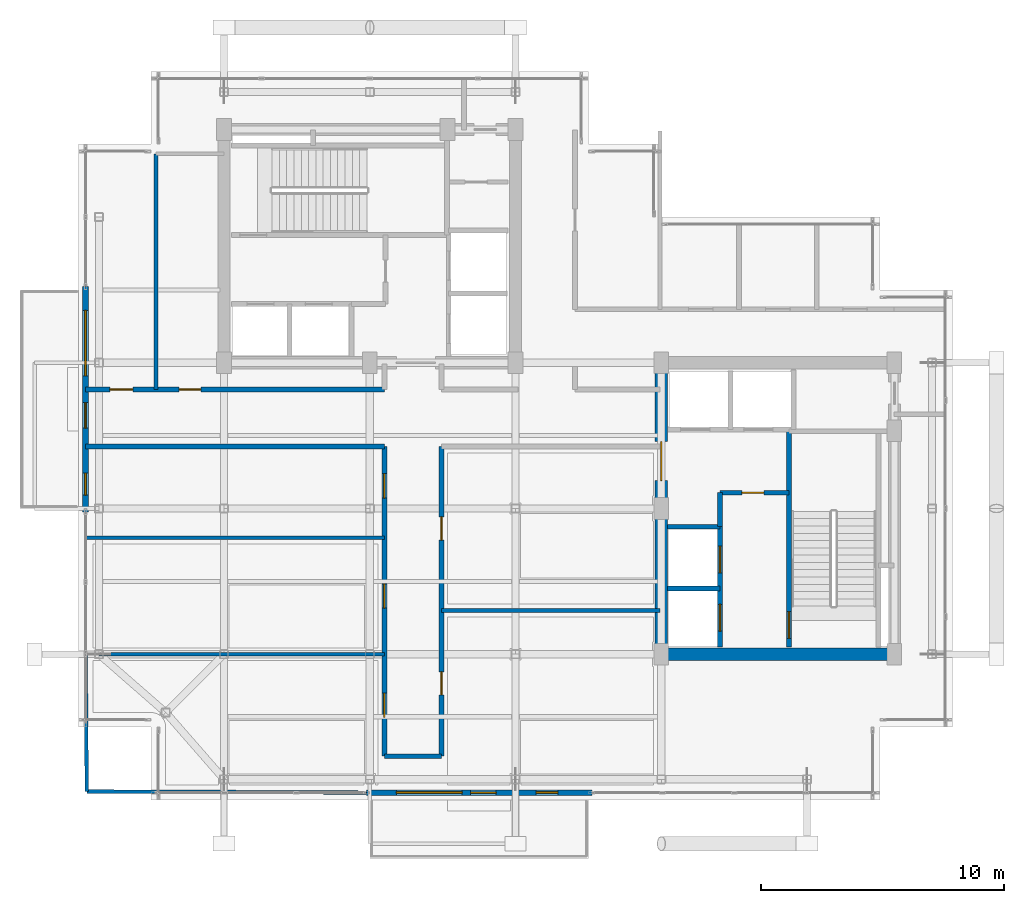
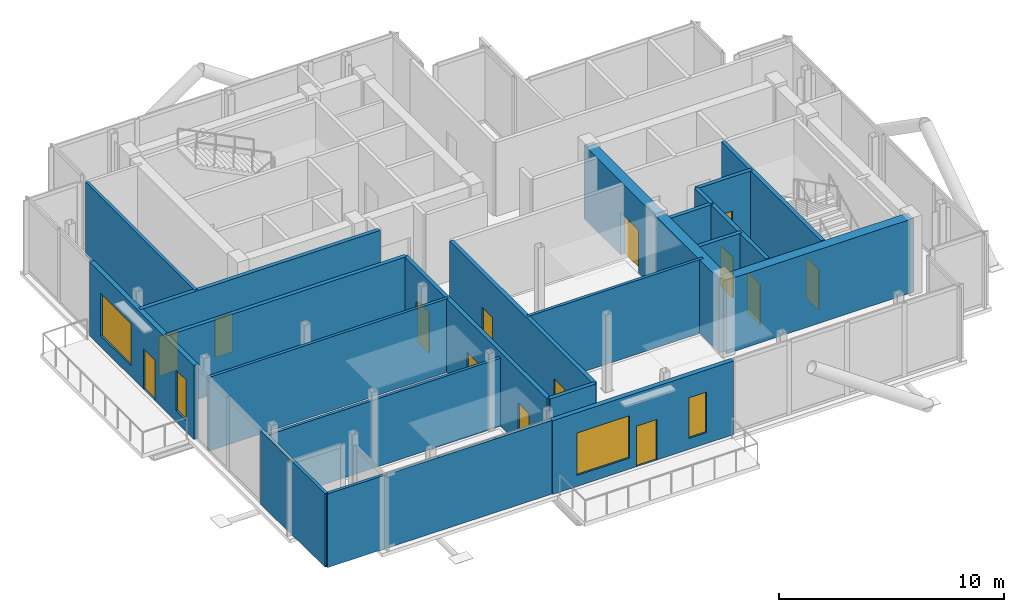
# One storey, part 12 of 16: 21 walls, 14 doors, 4 windows, 18 openings.
"""IFC4 building model written with IfcOpenShell, lengths in metres."""

from ifc_helpers import new_model, si_unit, direction, frame, frame_2d, origin, place, context, subcontext, project, spatial, rectangle, extrude, material, layer, layer_set, type_object, element, fill, save


model = new_model("IFC4")

# Units and contexts
model_context = context("Model", 3, precision=1e-05, world=origin(), true_north=direction((0.0, 1.0)))
body_context = subcontext(model_context, "Body", "Model", "MODEL_VIEW")
ifc_project = project(units=[si_unit("LENGTHUNIT", "METRE"), si_unit("AREAUNIT", "SQUARE_METRE"), si_unit("VOLUMEUNIT", "CUBIC_METRE"), si_unit("PLANEANGLEUNIT", "RADIAN"), si_unit("MASSUNIT", "GRAM", prefix="KILO"), si_unit("THERMODYNAMICTEMPERATUREUNIT", "KELVIN"), si_unit("POWERUNIT", "WATT")], contexts=[model_context])

# Site, building, storey
site_placement = place(None, origin())
site = spatial("IfcSite", under=ifc_project, at=site_placement, CompositionType="ELEMENT")
building_placement = place(site_placement, origin())
building = spatial("IfcBuilding", under=site, at=building_placement, Name="Svarakhadi Broadcast Tower", CompositionType="ELEMENT")
storey_placement = place(building_placement, frame((0.0, 0.0, 292.199951171875)))
storey = spatial("IfcBuildingStorey", under=building, at=storey_placement, Name="L74", CompositionType="ELEMENT", Elevation=292.199951171875)

# Wall, openings, doors
ifc_material_1 = material(Name="Double-Stud Acoustic Studio Partition STC-62", Category="gypsum")
ifc_layer_1 = layer(ifc_material_1, 0.199951171875)
ifc_layer_set_1 = layer_set([ifc_layer_1], Name="Double-Stud Acoustic Studio Partition STC-62")
wall_type_1 = type_object("IfcWallType", Name="Wall_Acoust_200", PredefinedType="PARTITIONING", material=ifc_layer_set_1)
wall_1_placement = place(storey_placement, frame((12.60009765625, 1.800048828125, 0.0), z_axis=(0.0, 0.0, 1.0), x_axis=(0.0, 1.0, 0.0)))
wall_1 = element("IfcWall", 1, at=wall_1_placement, inside=storey, type_object=wall_type_1, Name="L74 Upper Tower Concourse Wall", PredefinedType="PARTITIONING", context=body_context, shape_type="SweptSolid", body=[
    extrude(rectangle(XDim=12.75, YDim=0.199951171875, at=frame_2d((6.375, 0.0))), origin(), (0.0, 0.0, 1.0), 4.0),
])
opening_1_placement = place(wall_1_placement, frame((1.60009765625, 0.0, 0.0)))
opening_1 = element("IfcOpeningElement", 2, at=opening_1_placement, cuts=wall_1, Name="Opening D-09", PredefinedType="OPENING", context=body_context, shape_type="SweptSolid", body=[
    extrude(rectangle(XDim=1.0, YDim=2.199951171875, at=frame_2d((0.5, 1.10009765625))), frame((0.0, 0.10986328125, 0.0), z_axis=(0.0, -1.0, 0.0), x_axis=(1.0, 0.0, 0.0)), (0.0, 0.0, 1.0), 0.219970703125),
])
opening_2_placement = place(wall_1_placement, frame((6.10009765625, 0.0, 0.0)))
opening_2 = element("IfcOpeningElement", 3, at=opening_2_placement, cuts=wall_1, Name="Opening D-08", PredefinedType="OPENING", context=body_context, shape_type="SweptSolid", body=[
    extrude(rectangle(XDim=1.0, YDim=2.199951171875, at=frame_2d((0.5, 1.10009765625))), frame((0.0, 0.10986328125, 0.0), z_axis=(0.0, -1.0, 0.0), x_axis=(1.0, 0.0, 0.0)), (0.0, 0.0, 1.0), 0.219970703125),
])
opening_3_placement = place(wall_1_placement, frame((10.6298828125, 0.0, 0.0)))
opening_3 = element("IfcOpeningElement", 4, at=opening_3_placement, cuts=wall_1, Name="Opening D-09", PredefinedType="OPENING", context=body_context, shape_type="SweptSolid", body=[
    extrude(rectangle(XDim=1.0, YDim=2.199951171875, at=frame_2d((0.5, 1.10009765625))), frame((0.0, 0.10986328125, 0.0), z_axis=(0.0, -1.0, 0.0), x_axis=(1.0, 0.0, 0.0)), (0.0, 0.0, 1.0), 0.219970703125),
])
ifc_material_2 = material(Name="Solid-Core Teak Veneer Acoustic Timber Leaf", Category="wood")
door_type_1 = type_object("IfcDoorType", Name="Door_Suite_D08", OperationType="SINGLE_SWING_LEFT", PredefinedType="DOOR", material=ifc_material_2)
door_1_placement = place(opening_2_placement, origin())
door_1 = element("IfcDoor", 5, at=door_1_placement, inside=storey, type_object=door_type_1, Name="L74 Executive Pre-Function Lounge Door", OperationType="SINGLE_SWING_LEFT", OverallHeight=2.199951171875, OverallWidth=1.0, PredefinedType="DOOR", context=body_context, shape_type="SweptSolid", body=[
    extrude(rectangle(XDim=1.0, YDim=2.199951171875, at=frame_2d((0.5, 1.10009765625))), frame((0.0, 0.02490234375, 0.0), z_axis=(0.0, -1.0, 0.0), x_axis=(1.0, 0.0, 0.0)), (0.0, 0.0, 1.0), 0.050048828125),
])
fill(opening_2, door_1)
door_type_2 = type_object("IfcDoorType", Name="Door_Suite_D09", OperationType="SINGLE_SWING_RIGHT", PredefinedType="DOOR", material=ifc_material_2)
door_2_placement = place(opening_1_placement, origin())
door_2 = element("IfcDoor", 6, at=door_2_placement, inside=storey, type_object=door_type_2, Name="L74 Chairman Broadcast Boardroom Door", OperationType="SINGLE_SWING_RIGHT", OverallHeight=2.199951171875, OverallWidth=1.0, PredefinedType="DOOR", context=body_context, shape_type="SweptSolid", body=[
    extrude(rectangle(XDim=1.0, YDim=2.199951171875, at=frame_2d((0.5, 1.10009765625))), frame((0.0, 0.02490234375, 0.0), z_axis=(0.0, -1.0, 0.0), x_axis=(1.0, 0.0, 0.0)), (0.0, 0.0, 1.0), 0.050048828125),
])
fill(opening_1, door_2)
door_3_placement = place(opening_3_placement, origin())
door_3 = element("IfcDoor", 7, at=door_3_placement, inside=storey, type_object=door_type_2, Name="L74 Boardroom Secretarial Office Door", OperationType="SINGLE_SWING_RIGHT", OverallHeight=2.199951171875, OverallWidth=1.0, PredefinedType="DOOR", context=body_context, shape_type="SweptSolid", body=[
    extrude(rectangle(XDim=1.0, YDim=2.199951171875, at=frame_2d((0.5, 1.10009765625))), frame((0.0, 0.02490234375, 0.0), z_axis=(0.0, -1.0, 0.0), x_axis=(1.0, 0.0, 0.0)), (0.0, 0.0, 1.0), 0.050048828125),
])
fill(opening_3, door_3)

# Wall
wall_2_placement = place(storey_placement, frame((12.60009765625, 14.550048828125, 0.0), z_axis=(0.0, 0.0, 1.0), x_axis=(-1.0, 0.0, 0.0)))
element("IfcWall", 8, at=wall_2_placement, inside=storey, type_object=wall_type_1, Name="L74 Upper Tower Concourse Wall", PredefinedType="PARTITIONING", context=body_context, shape_type="SweptSolid", body=[
    extrude(rectangle(XDim=12.300048828125, YDim=0.199951171875, at=frame_2d((6.14990234375, 0.0))), origin(), (0.0, 0.0, 1.0), 4.0),
])

# Wall, openings, doors
wall_3_placement = place(storey_placement, frame((0.300048828125, 16.89990234375, 0.0), z_axis=(0.0, 0.0, 1.0), x_axis=(1.0, 0.0, 0.0)))
wall_3 = element("IfcWall", 9, at=wall_3_placement, inside=storey, type_object=wall_type_1, Name="L74 Upper Tower Concourse Wall", PredefinedType="PARTITIONING", context=body_context, shape_type="SweptSolid", body=[
    extrude(rectangle(XDim=12.300048828125, YDim=0.199951171875, at=frame_2d((6.14990234375, 0.0))), origin(), (0.0, 0.0, 1.0), 4.0),
])
opening_4_placement = place(wall_3_placement, frame((1.0, 0.0, 0.0)))
opening_4 = element("IfcOpeningElement", 10, at=opening_4_placement, cuts=wall_3, Name="Opening D-07", PredefinedType="OPENING", context=body_context, shape_type="SweptSolid", body=[
    extrude(rectangle(XDim=0.949951171875, YDim=2.14990234375, at=frame_2d((0.47509765625, 1.074951171875))), frame((0.0, 0.10986328125, 0.0), z_axis=(0.0, -1.0, 0.0), x_axis=(1.0, 0.0, 0.0)), (0.0, 0.0, 1.0), 0.219970703125),
])
opening_5_placement = place(wall_3_placement, frame((3.85009765625, 0.0, 0.0)))
opening_5 = element("IfcOpeningElement", 11, at=opening_5_placement, cuts=wall_3, Name="Opening D-12", PredefinedType="OPENING", context=body_context, shape_type="SweptSolid", body=[
    extrude(rectangle(XDim=0.89990234375, YDim=2.10009765625, at=frame_2d((0.449951171875, 1.050048828125))), frame((0.0, 0.10986328125, 0.0), z_axis=(0.0, -1.0, 0.0), x_axis=(1.0, 0.0, 0.0)), (0.0, 0.0, 1.0), 0.219970703125),
])
door_type_3 = type_object("IfcDoorType", Name="Door_Office_D07", OperationType="SINGLE_SWING_RIGHT", PredefinedType="DOOR", material=ifc_material_2)
door_4_placement = place(opening_4_placement, origin())
door_4 = element("IfcDoor", 12, at=door_4_placement, inside=storey, type_object=door_type_3, Name="L74 International Delegate Briefing Room Door", OperationType="SINGLE_SWING_RIGHT", OverallHeight=2.14990234375, OverallWidth=0.949951171875, PredefinedType="DOOR", context=body_context, shape_type="SweptSolid", body=[
    extrude(rectangle(XDim=0.949951171875, YDim=2.14990234375, at=frame_2d((0.47509765625, 1.074951171875))), frame((0.0, 0.02490234375, 0.0), z_axis=(0.0, -1.0, 0.0), x_axis=(1.0, 0.0, 0.0)), (0.0, 0.0, 1.0), 0.050048828125),
])
fill(opening_4, door_4)
door_type_4 = type_object("IfcDoorType", Name="Door_WC_D01", OperationType="SINGLE_SWING_LEFT", PredefinedType="DOOR", material=ifc_material_2)
door_5_placement = place(opening_5_placement, origin())
door_5 = element("IfcDoor", 13, at=door_5_placement, inside=storey, type_object=door_type_4, Name="L74 Accessible Crown Washroom WC Door", OperationType="SINGLE_SWING_LEFT", OverallHeight=2.10009765625, OverallWidth=0.89990234375, PredefinedType="DOOR", context=body_context, shape_type="SweptSolid", body=[
    extrude(rectangle(XDim=0.89990234375, YDim=2.10009765625, at=frame_2d((0.449951171875, 1.050048828125))), frame((0.0, 0.02490234375, 0.0), z_axis=(0.0, -1.0, 0.0), x_axis=(1.0, 0.0, 0.0)), (0.0, 0.0, 1.0), 0.050048828125),
])
fill(opening_5, door_5)

wall_4_placement = place(storey_placement, frame((14.949951171875, 14.550048828125, 0.0), z_axis=(0.0, 0.0, 1.0), x_axis=(0.0, -1.0, 0.0)))
wall_4 = element("IfcWall", 14, at=wall_4_placement, inside=storey, type_object=wall_type_1, Name="L74 Upper Tower Concourse Wall", PredefinedType="PARTITIONING", context=body_context, shape_type="SweptSolid", body=[
    extrude(rectangle(XDim=12.75, YDim=0.199951171875, at=frame_2d((6.375, 0.0))), origin(), (0.0, 0.0, 1.0), 4.0),
])
opening_6_placement = place(wall_4_placement, frame((9.27490234375, 0.0, 0.0)))
opening_6 = element("IfcOpeningElement", 15, at=opening_6_placement, cuts=wall_4, Name="Opening D-06", PredefinedType="OPENING", context=body_context, shape_type="SweptSolid", body=[
    extrude(rectangle(XDim=0.949951171875, YDim=2.14990234375, at=frame_2d((0.47509765625, 1.074951171875))), frame((0.0, 0.10986328125, 0.0), z_axis=(0.0, -1.0, 0.0), x_axis=(1.0, 0.0, 0.0)), (0.0, 0.0, 1.0), 0.219970703125),
])
opening_7_placement = place(wall_4_placement, frame((2.89990234375, 0.0, 0.0)))
opening_7 = element("IfcOpeningElement", 16, at=opening_7_placement, cuts=wall_4, Name="Opening D-07", PredefinedType="OPENING", context=body_context, shape_type="SweptSolid", body=[
    extrude(rectangle(XDim=0.949951171875, YDim=2.14990234375, at=frame_2d((0.47509765625, 1.074951171875))), frame((0.0, 0.10986328125, 0.0), z_axis=(0.0, -1.0, 0.0), x_axis=(1.0, 0.0, 0.0)), (0.0, 0.0, 1.0), 0.219970703125),
])
door_type_5 = type_object("IfcDoorType", Name="Door_Office_D06", OperationType="SINGLE_SWING_LEFT", PredefinedType="DOOR", material=ifc_material_2)
door_6_placement = place(opening_6_placement, origin())
door_6 = element("IfcDoor", 17, at=door_6_placement, inside=storey, type_object=door_type_5, Name="L74 Executive Banquet Dining Salon Door", OperationType="SINGLE_SWING_LEFT", OverallHeight=2.14990234375, OverallWidth=0.949951171875, PredefinedType="DOOR", context=body_context, shape_type="SweptSolid", body=[
    extrude(rectangle(XDim=0.949951171875, YDim=2.14990234375, at=frame_2d((0.47509765625, 1.074951171875))), frame((0.0, 0.02490234375, 0.0), z_axis=(0.0, -1.0, 0.0), x_axis=(1.0, 0.0, 0.0)), (0.0, 0.0, 1.0), 0.050048828125),
])
fill(opening_6, door_6)
door_7_placement = place(opening_7_placement, origin())
door_7 = element("IfcDoor", 18, at=door_7_placement, inside=storey, type_object=door_type_3, Name="L74 Executive Finishing Kitchen Door", OperationType="SINGLE_SWING_RIGHT", OverallHeight=2.14990234375, OverallWidth=0.949951171875, PredefinedType="DOOR", context=body_context, shape_type="SweptSolid", body=[
    extrude(rectangle(XDim=0.949951171875, YDim=2.14990234375, at=frame_2d((0.47509765625, 1.074951171875))), frame((0.0, 0.02490234375, 0.0), z_axis=(0.0, -1.0, 0.0), x_axis=(1.0, 0.0, 0.0)), (0.0, 0.0, 1.0), 0.050048828125),
])
fill(opening_7, door_7)

# Wall
wall_5_placement = place(storey_placement, frame((14.949951171875, 1.800048828125, 0.0), z_axis=(0.0, 0.0, 1.0), x_axis=(-1.0, 0.0, 0.0)))
element("IfcWall", 19, at=wall_5_placement, inside=storey, type_object=wall_type_1, Name="L74 Upper Tower Concourse Wall", PredefinedType="PARTITIONING", context=body_context, shape_type="SweptSolid", body=[
    extrude(rectangle(XDim=2.349853515625, YDim=0.199951171875, at=frame_2d((1.1748046875, 0.0))), origin(), (0.0, 0.0, 1.0), 4.0),
])

# Wall, openings, door, windows
ifc_material_3 = material(Name="Concrete C40/50 (IS 456 M50)", Category="concrete")
ifc_layer_2 = layer(ifc_material_3, 0.239990234375)
ifc_layer_set_2 = layer_set([ifc_layer_2], Name="Concrete C40/50 (IS 456 M50)")
wall_type_2 = type_object("IfcWallType", Name="Wall_Ext_240", PredefinedType="SOLIDWALL", material=ifc_layer_set_2)
wall_6_placement = place(storey_placement, frame((21.14501953125, 0.300048828125, 0.0), z_axis=(0.0, 0.0, 1.0), x_axis=(-1.0, 0.0, 0.0)))
wall_6 = element("IfcWall", 20, at=wall_6_placement, inside=storey, type_object=wall_type_2, Name="L74 South Tree Balcony Spandrel Wall", PredefinedType="SOLIDWALL", context=body_context, shape_type="SweptSolid", body=[
    extrude(rectangle(XDim=9.2900390625, YDim=0.239990234375, at=frame_2d((4.64501953125, 0.0))), origin(), (0.0, 0.0, 1.0), 4.0),
])
opening_8_placement = place(wall_6_placement, frame((3.945068359375, 0.0, 0.0)))
opening_8 = element("IfcOpeningElement", 21, at=opening_8_placement, cuts=wall_6, Name="Opening ED-06", PredefinedType="OPENING", context=body_context, shape_type="SweptSolid", body=[
    extrude(rectangle(XDim=1.050048828125, YDim=2.199951171875, at=frame_2d((0.52490234375, 1.10009765625))), frame((0.0, 0.1298828125, 0.0), z_axis=(0.0, -1.0, 0.0), x_axis=(1.0, 0.0, 0.0)), (0.0, 0.0, 1.0), 0.260009765625),
])
opening_9_placement = place(wall_6_placement, frame((5.344970703125, 0.0, 0.60009765625)))
opening_9 = element("IfcOpeningElement", 22, at=opening_9_placement, cuts=wall_6, Name="Opening WN-07", PredefinedType="OPENING", context=body_context, shape_type="SweptSolid", body=[
    extrude(rectangle(XDim=2.699951171875, YDim=2.300048828125, at=frame_2d((1.35009765625, 1.14990234375))), frame((0.0, 0.1298828125, 0.0), z_axis=(0.0, -1.0, 0.0), x_axis=(1.0, 0.0, 0.0)), (0.0, 0.0, 1.0), 0.260009765625),
])
opening_10_placement = place(wall_6_placement, frame((1.39990234375, 0.0, 0.60009765625)))
opening_10 = element("IfcOpeningElement", 23, at=opening_10_placement, cuts=wall_6, Name="Opening WN-04", PredefinedType="OPENING", context=body_context, shape_type="SweptSolid", body=[
    extrude(rectangle(XDim=0.89990234375, YDim=2.199951171875, at=frame_2d((0.449951171875, 1.10009765625))), frame((0.0, 0.1298828125, 0.0), z_axis=(0.0, -1.0, 0.0), x_axis=(1.0, 0.0, 0.0)), (0.0, 0.0, 1.0), 0.260009765625),
])
ifc_material_4 = material(Name="Anodised Bronze Aluminium AA 6063-T6", Category="aluminium")
door_type_6 = type_object("IfcDoorType", Name="Door_Ext_ED06", OperationType="SINGLE_SWING_RIGHT", PredefinedType="DOOR", material=ifc_material_4)
door_8_placement = place(opening_8_placement, origin())
door_8 = element("IfcDoor", 24, at=door_8_placement, inside=storey, type_object=door_type_6, Name="L74 South Tree Balcony Door", OperationType="SINGLE_SWING_RIGHT", OverallHeight=2.199951171875, OverallWidth=1.050048828125, PredefinedType="DOOR", context=body_context, shape_type="SweptSolid", body=[
    extrude(rectangle(XDim=1.050048828125, YDim=2.199951171875, at=frame_2d((0.52490234375, 1.10009765625))), frame((0.0, 0.02490234375, 0.0), z_axis=(0.0, -1.0, 0.0), x_axis=(1.0, 0.0, 0.0)), (0.0, 0.0, 1.0), 0.050048828125),
])
fill(opening_8, door_8)
ifc_material_5 = material(Name="Double Low-E Laminated Acoustic Glass IGU 36 mm", Category="glass")
window_type_1 = type_object("IfcWindowType", Name="Win_Resi_WN07", PartitioningType="SINGLE_PANEL", PredefinedType="WINDOW", material=ifc_material_5)
window_1_placement = place(opening_9_placement, origin())
window_1 = element("IfcWindow", 25, at=window_1_placement, inside=storey, type_object=window_type_1, Name="L74 South Tree Balcony Window", OverallHeight=2.300048828125, OverallWidth=2.699951171875, PartitioningType="SINGLE_PANEL", PredefinedType="WINDOW", context=body_context, shape_type="SweptSolid", body=[
    extrude(rectangle(XDim=2.699951171875, YDim=2.300048828125, at=frame_2d((1.35009765625, 1.14990234375))), frame((0.0, 0.030029296875, 0.0), z_axis=(0.0, -1.0, 0.0), x_axis=(1.0, 0.0, 0.0)), (0.0, 0.0, 1.0), 0.06005859375),
])
fill(opening_9, window_1)
window_type_2 = type_object("IfcWindowType", Name="Win_Slot_WN04", PartitioningType="SINGLE_PANEL", PredefinedType="WINDOW", material=ifc_material_5)
window_2_placement = place(opening_10_placement, origin())
window_2 = element("IfcWindow", 26, at=window_2_placement, inside=storey, type_object=window_type_2, Name="L74 South Primary Bedroom Slot Window", OverallHeight=2.199951171875, OverallWidth=0.89990234375, PartitioningType="SINGLE_PANEL", PredefinedType="WINDOW", context=body_context, shape_type="SweptSolid", body=[
    extrude(rectangle(XDim=0.89990234375, YDim=2.199951171875, at=frame_2d((0.449951171875, 1.10009765625))), frame((0.0, 0.030029296875, 0.0), z_axis=(0.0, -1.0, 0.0), x_axis=(1.0, 0.0, 0.0)), (0.0, 0.0, 1.0), 0.06005859375),
])
fill(opening_10, window_2)

wall_7_placement = place(storey_placement, frame((0.300048828125, 11.85498046875, 0.0), z_axis=(0.0, 0.0, 1.0), x_axis=(0.0, 1.0, 0.0)))
wall_7 = element("IfcWall", 27, at=wall_7_placement, inside=storey, type_object=wall_type_2, Name="L74 West Tree Balcony Spandrel Wall", PredefinedType="SOLIDWALL", context=body_context, shape_type="SweptSolid", body=[
    extrude(rectangle(XDim=9.2900390625, YDim=0.239990234375, at=frame_2d((4.64501953125, 0.0))), origin(), (0.0, 0.0, 1.0), 4.0),
])
opening_11_placement = place(wall_7_placement, frame((3.449951171875, 0.0, 0.0)))
opening_11 = element("IfcOpeningElement", 28, at=opening_11_placement, cuts=wall_7, Name="Opening ED-05", PredefinedType="OPENING", context=body_context, shape_type="SweptSolid", body=[
    extrude(rectangle(XDim=1.050048828125, YDim=2.199951171875, at=frame_2d((0.52490234375, 1.10009765625))), frame((0.0, 0.1298828125, 0.0), z_axis=(0.0, -1.0, 0.0), x_axis=(1.0, 0.0, 0.0)), (0.0, 0.0, 1.0), 0.260009765625),
])
opening_12_placement = place(wall_7_placement, frame((5.60009765625, 0.0, 0.60009765625)))
opening_12 = element("IfcOpeningElement", 29, at=opening_12_placement, cuts=wall_7, Name="Opening WN-07", PredefinedType="OPENING", context=body_context, shape_type="SweptSolid", body=[
    extrude(rectangle(XDim=2.699951171875, YDim=2.300048828125, at=frame_2d((1.35009765625, 1.14990234375))), frame((0.0, 0.1298828125, 0.0), z_axis=(0.0, -1.0, 0.0), x_axis=(1.0, 0.0, 0.0)), (0.0, 0.0, 1.0), 0.260009765625),
])
opening_13_placement = place(wall_7_placement, frame((0.699951171875, 0.0, 0.60009765625)))
opening_13 = element("IfcOpeningElement", 30, at=opening_13_placement, cuts=wall_7, Name="Opening WN-04", PredefinedType="OPENING", context=body_context, shape_type="SweptSolid", body=[
    extrude(rectangle(XDim=0.89990234375, YDim=2.199951171875, at=frame_2d((0.449951171875, 1.10009765625))), frame((0.0, 0.1298828125, 0.0), z_axis=(0.0, -1.0, 0.0), x_axis=(1.0, 0.0, 0.0)), (0.0, 0.0, 1.0), 0.260009765625),
])
door_type_7 = type_object("IfcDoorType", Name="Door_Ext_ED05", OperationType="SINGLE_SWING_LEFT", PredefinedType="DOOR", material=ifc_material_4)
door_9_placement = place(opening_11_placement, origin())
door_9 = element("IfcDoor", 31, at=door_9_placement, inside=storey, type_object=door_type_7, Name="L74 West Tree Balcony Door", OperationType="SINGLE_SWING_LEFT", OverallHeight=2.199951171875, OverallWidth=1.050048828125, PredefinedType="DOOR", context=body_context, shape_type="SweptSolid", body=[
    extrude(rectangle(XDim=1.050048828125, YDim=2.199951171875, at=frame_2d((0.52490234375, 1.10009765625))), frame((0.0, 0.02490234375, 0.0), z_axis=(0.0, -1.0, 0.0), x_axis=(1.0, 0.0, 0.0)), (0.0, 0.0, 1.0), 0.050048828125),
])
fill(opening_11, door_9)
window_3_placement = place(opening_12_placement, origin())
window_3 = element("IfcWindow", 32, at=window_3_placement, inside=storey, type_object=window_type_1, Name="L74 West Tree Balcony Window", OverallHeight=2.300048828125, OverallWidth=2.699951171875, PartitioningType="SINGLE_PANEL", PredefinedType="WINDOW", context=body_context, shape_type="SweptSolid", body=[
    extrude(rectangle(XDim=2.699951171875, YDim=2.300048828125, at=frame_2d((1.35009765625, 1.14990234375))), frame((0.0, 0.030029296875, 0.0), z_axis=(0.0, -1.0, 0.0), x_axis=(1.0, 0.0, 0.0)), (0.0, 0.0, 1.0), 0.06005859375),
])
fill(opening_12, window_3)
window_4_placement = place(opening_13_placement, origin())
window_4 = element("IfcWindow", 33, at=window_4_placement, inside=storey, type_object=window_type_2, Name="L74 West Secondary Bedroom Slot Window", OverallHeight=2.199951171875, OverallWidth=0.89990234375, PartitioningType="SINGLE_PANEL", PredefinedType="WINDOW", context=body_context, shape_type="SweptSolid", body=[
    extrude(rectangle(XDim=0.89990234375, YDim=2.199951171875, at=frame_2d((0.449951171875, 1.10009765625))), frame((0.0, 0.030029296875, 0.0), z_axis=(0.0, -1.0, 0.0), x_axis=(1.0, 0.0, 0.0)), (0.0, 0.0, 1.0), 0.06005859375),
])
fill(opening_13, window_4)

# Walls
ifc_material_6 = material(Name="Autoclaved Aerated Concrete Blockwork 150 mm", Category="masonry")
ifc_layer_3 = layer(ifc_material_6, 0.14990234375)
ifc_layer_set_3 = layer_set([ifc_layer_3], Name="Autoclaved Aerated Concrete Blockwork 150 mm")
wall_type_3 = type_object("IfcWallType", Name="Wall_Part_150", PredefinedType="PARTITIONING", material=ifc_layer_set_3)
wall_8_placement = place(storey_placement, frame((0.35009765625, 0.35009765625, 0.0), z_axis=(0.0, 0.0, 1.0), x_axis=(0.999991613227, -0.004095543276, 0.0)))
element("IfcWall", 34, at=wall_8_placement, inside=storey, type_object=wall_type_3, Name="L74 Chairman Broadcast Boardroom Wall", PredefinedType="PARTITIONING", context=body_context, shape_type="SweptSolid", body=[
    extrude(rectangle(XDim=11.5048828125, YDim=0.14990234375, at=frame_2d((5.75244140625, 0.0))), origin(), (0.0, 0.0, 1.0), 4.0),
])
wall_9_placement = place(storey_placement, frame((0.300048828125, 6.0, 0.0), z_axis=(0.0, 0.0, 1.0), x_axis=(1.0, 0.0, 0.0)))
element("IfcWall", 35, at=wall_9_placement, inside=storey, type_object=wall_type_3, Name="L74 Chairman Broadcast Boardroom Wall", PredefinedType="PARTITIONING", context=body_context, shape_type="SweptSolid", body=[
    extrude(rectangle(XDim=12.300048828125, YDim=0.14990234375, at=frame_2d((6.14990234375, 0.0))), origin(), (0.0, 0.0, 1.0), 3.692138671875),
])
wall_10_placement = place(storey_placement, frame((0.35009765625, 0.35009765625, 0.0), z_axis=(0.0, 0.0, 1.0), x_axis=(-0.00885800524, 0.999960767102, 0.0)))
element("IfcWall", 36, at=wall_10_placement, inside=storey, type_object=wall_type_3, Name="L74 Chairman Broadcast Boardroom Wall", PredefinedType="PARTITIONING", context=body_context, shape_type="SweptSolid", body=[
    extrude(rectangle(XDim=5.650146484375, YDim=0.14990234375, at=frame_2d((2.8251953125, 0.0))), origin(), (0.0, 0.0, 1.0), 4.0),
])
wall_11_placement = place(storey_placement, frame((0.300048828125, 10.800048828125, 0.0), z_axis=(0.0, 0.0, 1.0), x_axis=(1.0, 0.0, 0.0)))
element("IfcWall", 37, at=wall_11_placement, inside=storey, type_object=wall_type_3, Name="L74 Executive Pre-Function Lounge Wall", PredefinedType="PARTITIONING", context=body_context, shape_type="SweptSolid", body=[
    extrude(rectangle(XDim=12.300048828125, YDim=0.14990234375, at=frame_2d((6.14990234375, 0.0))), origin(), (0.0, 0.0, 1.0), 4.0),
])
wall_12_placement = place(storey_placement, frame((14.949951171875, 7.800048828125, 0.0), z_axis=(0.0, 0.0, 1.0), x_axis=(1.0, 0.0, 0.0)))
element("IfcWall", 38, at=wall_12_placement, inside=storey, type_object=wall_type_3, Name="L74 Executive Banquet Dining Salon Wall", PredefinedType="PARTITIONING", context=body_context, shape_type="SweptSolid", body=[
    extrude(rectangle(XDim=9.0, YDim=0.14990234375, at=frame_2d((4.5, 0.0))), origin(), (0.0, 0.0, 1.0), 4.0),
])
wall_13_placement = place(storey_placement, frame((3.199951171875, 16.89990234375, 0.0), z_axis=(0.0, 0.0, 1.0), x_axis=(0.0, 1.0, 0.0)))
element("IfcWall", 39, at=wall_13_placement, inside=storey, type_object=wall_type_3, Name="L74 International Delegate Briefing Room Wall", PredefinedType="PARTITIONING", context=body_context, shape_type="SweptSolid", body=[
    extrude(rectangle(XDim=9.7001953125, YDim=0.14990234375, at=frame_2d((4.85009765625, 0.0))), origin(), (0.0, 0.0, 1.0), 4.0),
])

# Wall, opening, door
ifc_material_7 = material(Name="Concrete C50/60 (IS 456 M60)", Category="concrete")
ifc_layer_4 = layer(ifc_material_7, 0.199951171875)
ifc_layer_set_4 = layer_set([ifc_layer_4], Name="Concrete C50/60 (IS 456 M60)")
wall_type_4 = type_object("IfcWallType", Name="Wall_Shear_200", PredefinedType="SHEAR", material=ifc_layer_set_4)
wall_14_placement = place(storey_placement, frame((29.260009765625, 6.300048828125, 0.0), z_axis=(0.0, 0.0, 1.0), x_axis=(0.0, 1.0, 0.0)))
wall_14 = element("IfcWall", 40, at=wall_14_placement, inside=storey, type_object=wall_type_4, Name="L74 Stair ST-02 West RC Shaft Wall", PredefinedType="SHEAR", context=body_context, shape_type="SweptSolid", body=[
    extrude(rectangle(XDim=8.8798828125, YDim=0.199951171875, at=frame_2d((4.43994140625, 0.0))), origin(), (0.0, 0.0, 1.0), 4.0),
])
opening_14_placement = place(wall_14_placement, frame((0.35009765625, 0.0, 0.0)))
opening_14 = element("IfcOpeningElement", 41, at=opening_14_placement, cuts=wall_14, Name="Opening D-02", PredefinedType="OPENING", context=body_context, shape_type="SweptSolid", body=[
    extrude(rectangle(XDim=1.10009765625, YDim=2.199951171875, at=frame_2d((0.550048828125, 1.10009765625))), frame((0.0, 0.10986328125, 0.0), z_axis=(0.0, -1.0, 0.0), x_axis=(1.0, 0.0, 0.0)), (0.0, 0.0, 1.0), 0.219970703125),
])
ifc_material_8 = material(Name="Galvanised Powder-Coated Fire-Rated Steel Leaf", Category="steel")
door_type_8 = type_object("IfcDoorType", Name="Door_Stair_D02", OperationType="SINGLE_SWING_RIGHT", PredefinedType="DOOR", material=ifc_material_8)
door_10_placement = place(opening_14_placement, origin())
door_10 = element("IfcDoor", 42, at=door_10_placement, inside=storey, type_object=door_type_8, Name="L74 Protected Exit Stair ST-02 Fire Door", OperationType="SINGLE_SWING_RIGHT", OverallHeight=2.199951171875, OverallWidth=1.10009765625, PredefinedType="DOOR", context=body_context, shape_type="SweptSolid", body=[
    extrude(rectangle(XDim=1.10009765625, YDim=2.199951171875, at=frame_2d((0.550048828125, 1.10009765625))), frame((0.0, 0.02490234375, 0.0), z_axis=(0.0, -1.0, 0.0), x_axis=(1.0, 0.0, 0.0)), (0.0, 0.0, 1.0), 0.050048828125),
])
fill(opening_14, door_10)

# Wall, openings, doors
wall_15_placement = place(storey_placement, frame((26.419921875, 6.300048828125, 0.0), z_axis=(0.0, 0.0, 1.0), x_axis=(0.0, 1.0, 0.0)))
wall_15 = element("IfcWall", 43, at=wall_15_placement, inside=storey, type_object=wall_type_4, Name="L74 Firefighting Lift LF-03/04 Shaft Wall", PredefinedType="SHEAR", context=body_context, shape_type="SweptSolid", body=[
    extrude(rectangle(XDim=4.949951171875, YDim=0.199951171875, at=frame_2d((2.47509765625, 0.0))), origin(), (0.0, 0.0, 1.0), 4.0),
])
opening_15_placement = place(wall_15_placement, frame((0.64990234375, 0.0, 0.0)))
opening_15 = element("IfcOpeningElement", 44, at=opening_15_placement, cuts=wall_15, Name="Opening LD-01", PredefinedType="OPENING", context=body_context, shape_type="SweptSolid", body=[
    extrude(rectangle(XDim=1.10009765625, YDim=2.199951171875, at=frame_2d((0.550048828125, 1.10009765625))), frame((0.0, 0.10986328125, 0.0), z_axis=(0.0, -1.0, 0.0), x_axis=(1.0, 0.0, 0.0)), (0.0, 0.0, 1.0), 0.219970703125),
])
opening_16_placement = place(wall_15_placement, frame((3.050048828125, 0.0, 0.0)))
opening_16 = element("IfcOpeningElement", 45, at=opening_16_placement, cuts=wall_15, Name="Opening LD-01", PredefinedType="OPENING", context=body_context, shape_type="SweptSolid", body=[
    extrude(rectangle(XDim=1.10009765625, YDim=2.199951171875, at=frame_2d((0.550048828125, 1.10009765625))), frame((0.0, 0.10986328125, 0.0), z_axis=(0.0, -1.0, 0.0), x_axis=(1.0, 0.0, 0.0)), (0.0, 0.0, 1.0), 0.219970703125),
])
door_type_9 = type_object("IfcDoorType", Name="Door_Lift_LD01", OperationType="SLIDING_TO_LEFT", PredefinedType="DOOR", material=ifc_material_8)
door_11_placement = place(opening_15_placement, origin())
door_11 = element("IfcDoor", 46, at=door_11_placement, inside=storey, type_object=door_type_9, Name="L74 Firefighting Lift LF-03 Landing Door", OperationType="SLIDING_TO_LEFT", OverallHeight=2.199951171875, OverallWidth=1.10009765625, PredefinedType="DOOR", context=body_context, shape_type="SweptSolid", body=[
    extrude(rectangle(XDim=1.10009765625, YDim=2.199951171875, at=frame_2d((0.550048828125, 1.10009765625))), frame((0.0, 0.02490234375, 0.0), z_axis=(0.0, -1.0, 0.0), x_axis=(1.0, 0.0, 0.0)), (0.0, 0.0, 1.0), 0.050048828125),
])
fill(opening_15, door_11)
door_12_placement = place(opening_16_placement, origin())
door_12 = element("IfcDoor", 47, at=door_12_placement, inside=storey, type_object=door_type_9, Name="L74 Firefighting Lift LF-04 Landing Door", OperationType="SLIDING_TO_LEFT", OverallHeight=2.199951171875, OverallWidth=1.10009765625, PredefinedType="DOOR", context=body_context, shape_type="SweptSolid", body=[
    extrude(rectangle(XDim=1.10009765625, YDim=2.199951171875, at=frame_2d((0.550048828125, 1.10009765625))), frame((0.0, 0.02490234375, 0.0), z_axis=(0.0, -1.0, 0.0), x_axis=(1.0, 0.0, 0.0)), (0.0, 0.0, 1.0), 0.050048828125),
])
fill(opening_16, door_12)

# Walls
for number, where, z_axis, x_axis, name in (
    (48, (24.25, 8.699951171875, 0.0), (0.0, 0.0, 1.0), (1.0, 0.0, 0.0), "L74 Firefighting Lift LF-03/04 Divider Wall"),
    (49, (24.25, 11.25, 0.0), (0.0, 0.0, 1.0), (1.0, 0.0, 0.0), "L74 Firefighting Lift LF-04 North Wall"),
):
    element("IfcWall", number, at=place(storey_placement, frame(where, z_axis=z_axis, x_axis=x_axis)), inside=storey, type_object=wall_type_4, Name=name, PredefinedType="SHEAR", context=body_context, shape_type="SweptSolid", body=[
        extrude(rectangle(XDim=2.169921875, YDim=0.199951171875, at=frame_2d((1.0849609375, 0.0))), origin(), (0.0, 0.0, 1.0), 4.0),
    ])
wall_16_placement = place(storey_placement, frame((26.419921875, 11.25, 0.0), z_axis=(0.0, 0.0, 1.0), x_axis=(0.0, 1.0, 0.0)))
element("IfcWall", 50, at=wall_16_placement, inside=storey, type_object=wall_type_4, Name="L74 East Firefighting Lobby West Wall", PredefinedType="SHEAR", context=body_context, shape_type="SweptSolid", body=[
    extrude(rectangle(XDim=1.39990234375, YDim=0.199951171875, at=frame_2d((0.699951171875, 0.0))), origin(), (0.0, 0.0, 1.0), 4.0),
])

# Wall, opening, door
wall_17_placement = place(storey_placement, frame((26.419921875, 12.64990234375, 0.0), z_axis=(0.0, 0.0, 1.0), x_axis=(1.0, 0.0, 0.0)))
wall_17 = element("IfcWall", 51, at=wall_17_placement, inside=storey, type_object=wall_type_4, Name="L74 East Firefighting Lobby North Wall", PredefinedType="SHEAR", context=body_context, shape_type="SweptSolid", body=[
    extrude(rectangle(XDim=2.840087890625, YDim=0.199951171875, at=frame_2d((1.419921875, 0.0))), origin(), (0.0, 0.0, 1.0), 4.0),
])
opening_17_placement = place(wall_17_placement, frame((0.89990234375, 0.0, 0.0)))
opening_17 = element("IfcOpeningElement", 52, at=opening_17_placement, cuts=wall_17, Name="Opening D-04", PredefinedType="OPENING", context=body_context, shape_type="SweptSolid", body=[
    extrude(rectangle(XDim=0.89990234375, YDim=2.14990234375, at=frame_2d((0.449951171875, 1.074951171875))), frame((0.0, 0.10986328125, 0.0), z_axis=(0.0, -1.0, 0.0), x_axis=(1.0, 0.0, 0.0)), (0.0, 0.0, 1.0), 0.219970703125),
])
door_type_10 = type_object("IfcDoorType", Name="Door_Fire_D04", OperationType="SINGLE_SWING_RIGHT", PredefinedType="DOOR", material=ifc_material_8)
door_13_placement = place(opening_17_placement, origin())
door_13 = element("IfcDoor", 53, at=door_13_placement, inside=storey, type_object=door_type_10, Name="L74 East Firefighting Lobby Fire Door", OperationType="SINGLE_SWING_RIGHT", OverallHeight=2.14990234375, OverallWidth=0.89990234375, PredefinedType="DOOR", context=body_context, shape_type="SweptSolid", body=[
    extrude(rectangle(XDim=0.89990234375, YDim=2.14990234375, at=frame_2d((0.449951171875, 1.074951171875))), frame((0.0, 0.02490234375, 0.0), z_axis=(0.0, -1.0, 0.0), x_axis=(1.0, 0.0, 0.0)), (0.0, 0.0, 1.0), 0.050048828125),
])
fill(opening_17, door_13)

# Wall
ifc_layer_5 = layer(ifc_material_7, 0.5)
ifc_layer_set_5 = layer_set([ifc_layer_5], Name="Concrete C50/60 (IS 456 M60)")
wall_type_5 = type_object("IfcWallType", Name="Wall_Shear_500", PredefinedType="SHEAR", material=ifc_layer_set_5)
wall_18_placement = place(storey_placement, frame((24.0, 6.0, 0.0), z_axis=(0.0, 0.0, 1.0), x_axis=(1.0, 0.0, 0.0)))
element("IfcWall", 54, at=wall_18_placement, inside=storey, type_object=wall_type_5, Name="L74 East Core South Shear Wall", PredefinedType="SHEAR", context=body_context, shape_type="SweptSolid", body=[
    extrude(rectangle(XDim=9.60009765625, YDim=0.5, at=frame_2d((4.800048828125, 0.0))), origin(), (0.0, 0.0, 1.0), 4.0),
])

# Wall, opening, door
wall_19_placement = place(storey_placement, frame((24.0, 6.0, 0.0), z_axis=(0.0, 0.0, 1.0), x_axis=(0.0, 1.0, 0.0)))
wall_19 = element("IfcWall", 55, at=wall_19_placement, inside=storey, type_object=wall_type_5, Name="L74 East Core West Shear Wall", PredefinedType="SHEAR", context=body_context, shape_type="SweptSolid", body=[
    extrude(rectangle(XDim=12.0, YDim=0.5, at=frame_2d((6.0, 0.0))), origin(), (0.0, 0.0, 1.0), 4.0),
])
opening_18_placement = place(wall_19_placement, frame((7.14990234375, 0.0, 0.0)))
opening_18 = element("IfcOpeningElement", 56, at=opening_18_placement, cuts=wall_19, Name="Opening D-05", PredefinedType="OPENING", context=body_context, shape_type="SweptSolid", body=[
    extrude(rectangle(XDim=1.60009765625, YDim=2.300048828125, at=frame_2d((0.800048828125, 1.14990234375))), frame((0.0, 0.260009765625, 0.0), z_axis=(0.0, -1.0, 0.0), x_axis=(1.0, 0.0, 0.0)), (0.0, 0.0, 1.0), 0.52001953125),
])
door_type_11 = type_object("IfcDoorType", Name="Door_Lobby_D05", OperationType="DOUBLE_DOOR_SLIDING", PredefinedType="DOOR", material=ifc_material_4)
door_14_placement = place(opening_18_placement, origin())
door_14 = element("IfcDoor", 57, at=door_14_placement, inside=storey, type_object=door_type_11, Name="L74 East Core Passenger Lift Lobby Entrance Door", OperationType="DOUBLE_DOOR_SLIDING", OverallHeight=2.300048828125, OverallWidth=1.60009765625, PredefinedType="DOOR", context=body_context, shape_type="SweptSolid", body=[
    extrude(rectangle(XDim=1.60009765625, YDim=2.300048828125, at=frame_2d((0.800048828125, 1.14990234375))), frame((0.0, 0.02490234375, 0.0), z_axis=(0.0, -1.0, 0.0), x_axis=(1.0, 0.0, 0.0)), (0.0, 0.0, 1.0), 0.050048828125),
])
fill(opening_18, door_14)

save(model, "model.ifc")
